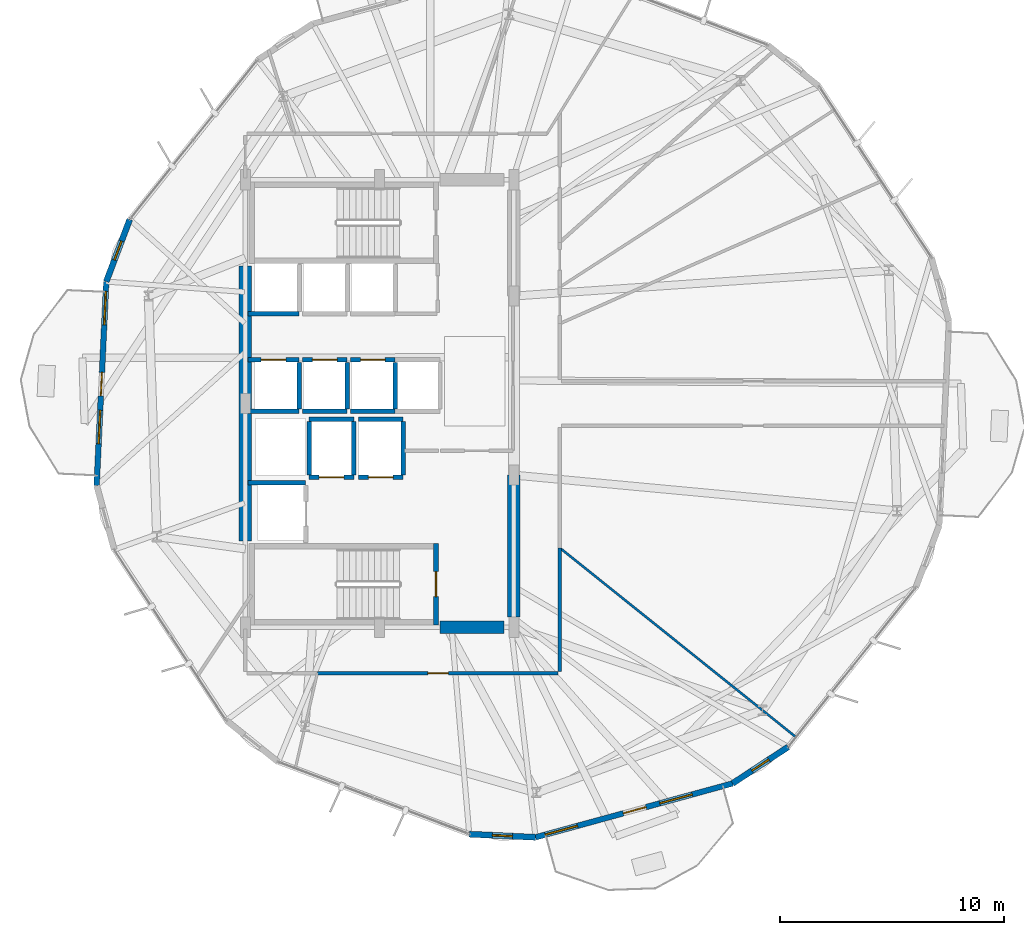
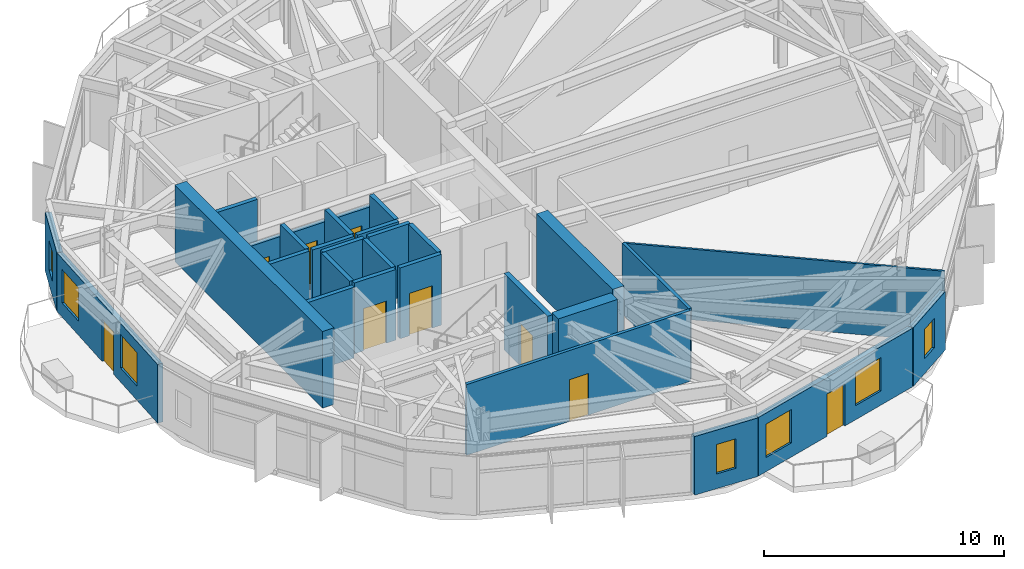
# One storey, part 20 of 25: 30 walls, 9 doors, 7 windows, 16 openings.
"""IFC4 building model written with IfcOpenShell, lengths in metres."""

from ifc_helpers import new_model, si_unit, direction, frame, frame_2d, origin, place, context, subcontext, project, spatial, rectangle, extrude, material, layer, layer_set, type_object, element, fill, save


model = new_model("IFC4")

# Units and contexts
model_context = context("Model", 3, precision=1e-05, world=origin(), true_north=direction((0.0, 1.0)))
body_context = subcontext(model_context, "Body", "Model", "MODEL_VIEW")
ifc_project = project(units=[si_unit("LENGTHUNIT", "METRE"), si_unit("AREAUNIT", "SQUARE_METRE"), si_unit("VOLUMEUNIT", "CUBIC_METRE"), si_unit("PLANEANGLEUNIT", "RADIAN"), si_unit("MASSUNIT", "GRAM", prefix="KILO")], contexts=[model_context])

# Site, building, storey
site_placement = place(None, origin())
site = spatial("IfcSite", under=ifc_project, at=site_placement, CompositionType="ELEMENT")
building_placement = place(site_placement, origin())
building = spatial("IfcBuilding", under=site, at=building_placement, Name="Soratama Intermodal Tower", CompositionType="ELEMENT")
storey_placement = place(building_placement, frame((0.0, 0.0, 87.39990234375)))
storey = spatial("IfcBuildingStorey", under=building, at=storey_placement, Name="L20", CompositionType="ELEMENT", Elevation=87.39990234375)

# Wall, openings, door, windows
ifc_material_1 = material(Name="Concrete f'c 42 MPa", Category="concrete")
ifc_layer_1 = layer(ifc_material_1, 0.25)
ifc_layer_set_1 = layer_set([ifc_layer_1], Name="Concrete f'c 42 MPa")
wall_type_1 = type_object("IfcWallType", Name="EW-BAL-250", PredefinedType="SOLIDWALL", material=ifc_layer_set_1)
wall_1_placement = place(storey_placement, frame((26.38720703125, 30.447509765625, 0.0), z_axis=(0.0, 0.0, 1.0), x_axis=(-0.047119184575, -0.998889274367, 0.0)))
wall_1 = element("IfcWall", 1, at=wall_1_placement, inside=storey, type_object=wall_type_1, Name="L20 Terrace Wall F05", PredefinedType="SOLIDWALL", context=body_context, shape_type="SweptSolid", body=[
    extrude(rectangle(XDim=9.129638671875, YDim=0.25, at=frame_2d((4.56494140625, 0.0))), origin(), (0.0, 0.0, 1.0), 2.97900390625),
])
opening_1_placement = place(wall_1_placement, frame((4.064697265625, 0.0, 0.0)))
opening_1 = element("IfcOpeningElement", 2, at=opening_1_placement, cuts=wall_1, Name="Opening ED-5", PredefinedType="OPENING", context=body_context, shape_type="SweptSolid", body=[
    extrude(rectangle(XDim=1.050048828125, YDim=2.14990234375, at=frame_2d((0.52490234375, 1.074951171875))), frame((0.0, 0.135009765625, 0.0), z_axis=(0.0, -1.0, 0.0), x_axis=(1.0, 0.0, 0.0)), (0.0, 0.0, 1.0), 0.27001953125),
])
opening_2_placement = place(wall_1_placement, frame((0.43994140625, 0.0, 0.719970703125)))
opening_2 = element("IfcOpeningElement", 3, at=opening_2_placement, cuts=wall_1, Name="Opening WN-1", PredefinedType="OPENING", context=body_context, shape_type="SweptSolid", body=[
    extrude(rectangle(XDim=1.5, YDim=1.699951171875, at=frame_2d((0.75, 0.85009765625))), frame((0.0, 0.135009765625, 0.0), z_axis=(0.0, -1.0, 0.0), x_axis=(1.0, 0.0, 0.0)), (0.0, 0.0, 1.0), 0.27001953125),
])
opening_3_placement = place(wall_1_placement, frame((5.7548828125, 0.0, 0.719970703125)))
opening_3 = element("IfcOpeningElement", 4, at=opening_3_placement, cuts=wall_1, Name="Opening WN-1", PredefinedType="OPENING", context=body_context, shape_type="SweptSolid", body=[
    extrude(rectangle(XDim=1.5, YDim=1.699951171875, at=frame_2d((0.75, 0.85009765625))), frame((0.0, 0.135009765625, 0.0), z_axis=(0.0, -1.0, 0.0), x_axis=(1.0, 0.0, 0.0)), (0.0, 0.0, 1.0), 0.27001953125),
])
ifc_material_2 = material(Name="Double-glazed aluminium door", Category="aluminium")
door_type_1 = type_object("IfcDoorType", Name="DR-BAL-1050", OperationType="NOTDEFINED", PredefinedType="DOOR", material=ifc_material_2)
door_1_placement = place(opening_1_placement, origin())
door_1 = element("IfcDoor", 5, at=door_1_placement, inside=storey, type_object=door_type_1, Name="L20 Balcony Door F05", OperationType="SINGLE_SWING_LEFT", OverallHeight=2.14990234375, OverallWidth=1.050048828125, PredefinedType="DOOR", context=body_context, shape_type="SweptSolid", body=[
    extrude(rectangle(XDim=1.050048828125, YDim=2.14990234375, at=frame_2d((0.52490234375, 1.074951171875))), frame((0.0, 0.02490234375, 0.0), z_axis=(0.0, -1.0, 0.0), x_axis=(1.0, 0.0, 0.0)), (0.0, 0.0, 1.0), 0.050048828125),
])
fill(opening_1, door_1)
ifc_material_3 = material(Name="Double-glazed aluminium window", Category="aluminium")
window_type_1 = type_object("IfcWindowType", Name="WN-FAC-1500", PartitioningType="SINGLE_PANEL", PredefinedType="WINDOW", material=ifc_material_3)
window_1_placement = place(opening_2_placement, origin())
window_1 = element("IfcWindow", 6, at=window_1_placement, inside=storey, type_object=window_type_1, Name="L20 Window A F05", OverallHeight=1.699951171875, OverallWidth=1.5, PartitioningType="SINGLE_PANEL", PredefinedType="WINDOW", context=body_context, shape_type="SweptSolid", body=[
    extrude(rectangle(XDim=1.5, YDim=1.699951171875, at=frame_2d((0.75, 0.85009765625))), frame((0.0, 0.030029296875, 0.0), z_axis=(0.0, -1.0, 0.0), x_axis=(1.0, 0.0, 0.0)), (0.0, 0.0, 1.0), 0.06005859375),
])
fill(opening_2, window_1)
window_2_placement = place(opening_3_placement, origin())
window_2 = element("IfcWindow", 7, at=window_2_placement, inside=storey, type_object=window_type_1, Name="L20 Window B F05", OverallHeight=1.699951171875, OverallWidth=1.5, PartitioningType="SINGLE_PANEL", PredefinedType="WINDOW", context=body_context, shape_type="SweptSolid", body=[
    extrude(rectangle(XDim=1.5, YDim=1.699951171875, at=frame_2d((0.75, 0.85009765625))), frame((0.0, 0.030029296875, 0.0), z_axis=(0.0, -1.0, 0.0), x_axis=(1.0, 0.0, 0.0)), (0.0, 0.0, 1.0), 0.06005859375),
])
fill(opening_3, window_2)

wall_2_placement = place(storey_placement, frame((45.57080078125, 5.614501953125, 0.0), z_axis=(0.0, 0.0, 1.0), x_axis=(0.964553074607, 0.263888927894, 0.0)))
wall_2 = element("IfcWall", 8, at=wall_2_placement, inside=storey, type_object=wall_type_1, Name="L20 Terrace Wall F08", PredefinedType="SOLIDWALL", context=body_context, shape_type="SweptSolid", body=[
    extrude(rectangle(XDim=9.129638671875, YDim=0.25, at=frame_2d((4.56494140625, 0.0))), origin(), (0.0, 0.0, 1.0), 2.97900390625),
])
opening_4_placement = place(wall_2_placement, frame((4.064697265625, 0.0, 0.0)))
opening_4 = element("IfcOpeningElement", 9, at=opening_4_placement, cuts=wall_2, Name="Opening ED-5", PredefinedType="OPENING", context=body_context, shape_type="SweptSolid", body=[
    extrude(rectangle(XDim=1.050048828125, YDim=2.14990234375, at=frame_2d((0.52490234375, 1.074951171875))), frame((0.0, 0.135009765625, 0.0), z_axis=(0.0, -1.0, 0.0), x_axis=(1.0, 0.0, 0.0)), (0.0, 0.0, 1.0), 0.27001953125),
])
opening_5_placement = place(wall_2_placement, frame((0.43994140625, 0.0, 0.719970703125)))
opening_5 = element("IfcOpeningElement", 10, at=opening_5_placement, cuts=wall_2, Name="Opening WN-1", PredefinedType="OPENING", context=body_context, shape_type="SweptSolid", body=[
    extrude(rectangle(XDim=1.5, YDim=1.699951171875, at=frame_2d((0.75, 0.85009765625))), frame((0.0, 0.135009765625, 0.0), z_axis=(0.0, -1.0, 0.0), x_axis=(1.0, 0.0, 0.0)), (0.0, 0.0, 1.0), 0.27001953125),
])
opening_6_placement = place(wall_2_placement, frame((5.7548828125, 0.0, 0.719970703125)))
opening_6 = element("IfcOpeningElement", 11, at=opening_6_placement, cuts=wall_2, Name="Opening WN-1", PredefinedType="OPENING", context=body_context, shape_type="SweptSolid", body=[
    extrude(rectangle(XDim=1.5, YDim=1.699951171875, at=frame_2d((0.75, 0.85009765625))), frame((0.0, 0.135009765625, 0.0), z_axis=(0.0, -1.0, 0.0), x_axis=(1.0, 0.0, 0.0)), (0.0, 0.0, 1.0), 0.27001953125),
])
door_2_placement = place(opening_4_placement, origin())
door_2 = element("IfcDoor", 12, at=door_2_placement, inside=storey, type_object=door_type_1, Name="L20 Balcony Door F08", OperationType="SINGLE_SWING_RIGHT", OverallHeight=2.14990234375, OverallWidth=1.050048828125, PredefinedType="DOOR", context=body_context, shape_type="SweptSolid", body=[
    extrude(rectangle(XDim=1.050048828125, YDim=2.14990234375, at=frame_2d((0.52490234375, 1.074951171875))), frame((0.0, 0.02490234375, 0.0), z_axis=(0.0, -1.0, 0.0), x_axis=(1.0, 0.0, 0.0)), (0.0, 0.0, 1.0), 0.050048828125),
])
fill(opening_4, door_2)
window_3_placement = place(opening_5_placement, origin())
window_3 = element("IfcWindow", 13, at=window_3_placement, inside=storey, type_object=window_type_1, Name="L20 Window A F08", OverallHeight=1.699951171875, OverallWidth=1.5, PartitioningType="SINGLE_PANEL", PredefinedType="WINDOW", context=body_context, shape_type="SweptSolid", body=[
    extrude(rectangle(XDim=1.5, YDim=1.699951171875, at=frame_2d((0.75, 0.85009765625))), frame((0.0, 0.030029296875, 0.0), z_axis=(0.0, -1.0, 0.0), x_axis=(1.0, 0.0, 0.0)), (0.0, 0.0, 1.0), 0.06005859375),
])
fill(opening_5, window_3)
window_4_placement = place(opening_6_placement, origin())
window_4 = element("IfcWindow", 14, at=window_4_placement, inside=storey, type_object=window_type_1, Name="L20 Window B F08", OverallHeight=1.699951171875, OverallWidth=1.5, PartitioningType="SINGLE_PANEL", PredefinedType="WINDOW", context=body_context, shape_type="SweptSolid", body=[
    extrude(rectangle(XDim=1.5, YDim=1.699951171875, at=frame_2d((0.75, 0.85009765625))), frame((0.0, 0.030029296875, 0.0), z_axis=(0.0, -1.0, 0.0), x_axis=(1.0, 0.0, 0.0)), (0.0, 0.0, 1.0), 0.06005859375),
])
fill(opening_6, window_4)

# Wall, opening, window
ifc_material_4 = material(Name="Concrete f'c 42 MPa", Category="concrete")
ifc_layer_2 = layer(ifc_material_4, 0.27001953125)
ifc_layer_set_2 = layer_set([ifc_layer_2], Name="Concrete f'c 42 MPa")
wall_type_2 = type_object("IfcWallType", Name="EW-CRN-270", PredefinedType="SOLIDWALL", material=ifc_layer_set_2)
wall_3_placement = place(storey_placement, frame((27.435791015625, 33.22265625, 0.0), z_axis=(0.0, 0.0, 1.0), x_axis=(-0.35345818185, -0.935450326679, 0.0)))
wall_3 = element("IfcWall", 15, at=wall_3_placement, inside=storey, type_object=wall_type_2, Name="L20 Corner Closure Wall 04", PredefinedType="SOLIDWALL", context=body_context, shape_type="SweptSolid", body=[
    extrude(rectangle(XDim=2.966552734375, YDim=0.27001953125, at=frame_2d((1.4833984375, 0.0))), origin(), (0.0, 0.0, 1.0), 2.97900390625),
])
opening_7_placement = place(wall_3_placement, frame((1.033203125, 0.0, 0.75)))
opening_7 = element("IfcOpeningElement", 16, at=opening_7_placement, cuts=wall_3, Name="Opening WN-6", PredefinedType="OPENING", context=body_context, shape_type="SweptSolid", body=[
    extrude(rectangle(XDim=0.89990234375, YDim=1.5, at=frame_2d((0.449951171875, 0.75))), frame((0.0, 0.14501953125, 0.0), z_axis=(0.0, -1.0, 0.0), x_axis=(1.0, 0.0, 0.0)), (0.0, 0.0, 1.0), 0.2900390625),
])
ifc_material_5 = material(Name="Double-glazed aluminium window", Category="aluminium")
window_type_2 = type_object("IfcWindowType", Name="WN-FAC-900", PartitioningType="SINGLE_PANEL", PredefinedType="WINDOW", material=ifc_material_5)
window_5_placement = place(opening_7_placement, origin())
window_5 = element("IfcWindow", 17, at=window_5_placement, inside=storey, type_object=window_type_2, Name="L20 Corner Window 04", OverallHeight=1.5, OverallWidth=0.89990234375, PartitioningType="SINGLE_PANEL", PredefinedType="WINDOW", context=body_context, shape_type="SweptSolid", body=[
    extrude(rectangle(XDim=0.89990234375, YDim=1.5, at=frame_2d((0.449951171875, 0.75))), frame((0.0, 0.030029296875, 0.0), z_axis=(0.0, -1.0, 0.0), x_axis=(1.0, 0.0, 0.0)), (0.0, 0.0, 1.0), 0.06005859375),
])
fill(opening_7, window_5)

wall_4_placement = place(storey_placement, frame((42.607421875, 5.75439453125, 0.0), z_axis=(0.0, 0.0, 1.0), x_axis=(0.998887602896, -0.04715460508, 0.0)))
wall_4 = element("IfcWall", 18, at=wall_4_placement, inside=storey, type_object=wall_type_2, Name="L20 Corner Closure Wall 07", PredefinedType="SOLIDWALL", context=body_context, shape_type="SweptSolid", body=[
    extrude(rectangle(XDim=2.966796875, YDim=0.27001953125, at=frame_2d((1.4833984375, 0.0))), origin(), (0.0, 0.0, 1.0), 2.97900390625),
])
opening_8_placement = place(wall_4_placement, frame((1.033203125, 0.0, 0.75)))
opening_8 = element("IfcOpeningElement", 19, at=opening_8_placement, cuts=wall_4, Name="Opening WN-6", PredefinedType="OPENING", context=body_context, shape_type="SweptSolid", body=[
    extrude(rectangle(XDim=0.89990234375, YDim=1.5, at=frame_2d((0.449951171875, 0.75))), frame((0.0, 0.14501953125, 0.0), z_axis=(0.0, -1.0, 0.0), x_axis=(1.0, 0.0, 0.0)), (0.0, 0.0, 1.0), 0.2900390625),
])
window_6_placement = place(opening_8_placement, origin())
window_6 = element("IfcWindow", 20, at=window_6_placement, inside=storey, type_object=window_type_2, Name="L20 Corner Window 07", OverallHeight=1.5, OverallWidth=0.89990234375, PartitioningType="SINGLE_PANEL", PredefinedType="WINDOW", context=body_context, shape_type="SweptSolid", body=[
    extrude(rectangle(XDim=0.89990234375, YDim=1.5, at=frame_2d((0.449951171875, 0.75))), frame((0.0, 0.030029296875, 0.0), z_axis=(0.0, -1.0, 0.0), x_axis=(1.0, 0.0, 0.0)), (0.0, 0.0, 1.0), 0.06005859375),
])
fill(opening_8, window_6)

wall_5_placement = place(storey_placement, frame((54.376708984375, 8.023681640625, 0.0), z_axis=(0.0, 0.0, 1.0), x_axis=(0.835816616247, 0.549008728533, 0.0)))
wall_5 = element("IfcWall", 21, at=wall_5_placement, inside=storey, type_object=wall_type_2, Name="L20 Corner Closure Wall 08", PredefinedType="SOLIDWALL", context=body_context, shape_type="SweptSolid", body=[
    extrude(rectangle(XDim=2.966552734375, YDim=0.27001953125, at=frame_2d((1.4833984375, 0.0))), origin(), (0.0, 0.0, 1.0), 2.97900390625),
])
opening_9_placement = place(wall_5_placement, frame((1.033203125, 0.0, 0.75)))
opening_9 = element("IfcOpeningElement", 22, at=opening_9_placement, cuts=wall_5, Name="Opening WN-6", PredefinedType="OPENING", context=body_context, shape_type="SweptSolid", body=[
    extrude(rectangle(XDim=0.89990234375, YDim=1.5, at=frame_2d((0.449951171875, 0.75))), frame((0.0, 0.14501953125, 0.0), z_axis=(0.0, -1.0, 0.0), x_axis=(1.0, 0.0, 0.0)), (0.0, 0.0, 1.0), 0.2900390625),
])
window_7_placement = place(opening_9_placement, origin())
window_7 = element("IfcWindow", 23, at=window_7_placement, inside=storey, type_object=window_type_2, Name="L20 Corner Window 08", OverallHeight=1.5, OverallWidth=0.89990234375, PartitioningType="SINGLE_PANEL", PredefinedType="WINDOW", context=body_context, shape_type="SweptSolid", body=[
    extrude(rectangle(XDim=0.89990234375, YDim=1.5, at=frame_2d((0.449951171875, 0.75))), frame((0.0, 0.030029296875, 0.0), z_axis=(0.0, -1.0, 0.0), x_axis=(1.0, 0.0, 0.0)), (0.0, 0.0, 1.0), 0.06005859375),
])
fill(opening_9, window_7)

# Wall, opening, door
ifc_material_6 = material(Name="Fire-rated gypsum stud partition", Category="concrete")
ifc_layer_3 = layer(ifc_material_6, 0.14990234375)
ifc_layer_set_3 = layer_set([ifc_layer_3], Name="Fire-rated gypsum stud partition")
wall_type_3 = type_object("IfcWallType", Name="IW-PART-R150", PredefinedType="PARTITIONING", material=ifc_layer_set_3)
wall_6_placement = place(storey_placement, frame((46.580078125, 12.949951171875, 0.0), z_axis=(0.0, 0.0, 1.0), x_axis=(-1.0, 0.0, 0.0)))
wall_6 = element("IfcWall", 24, at=wall_6_placement, inside=storey, type_object=wall_type_3, Name="L20 Partition W-L20-TP007", PredefinedType="PARTITIONING", context=body_context, shape_type="SweptSolid", body=[
    extrude(rectangle(XDim=10.760986328125, YDim=0.14990234375, at=frame_2d((5.38037109375, 0.0))), origin(), (0.0, 0.0, 1.0), 3.60009765625),
])
opening_10_placement = place(wall_6_placement, frame((4.905029296875, 0.0, 0.0)))
opening_10 = element("IfcOpeningElement", 25, at=opening_10_placement, cuts=wall_6, Name="Opening ID-6", PredefinedType="OPENING", context=body_context, shape_type="SweptSolid", body=[
    extrude(rectangle(XDim=0.919921875, YDim=2.1201171875, at=frame_2d((0.4599609375, 1.06005859375))), frame((0.0, 0.0849609375, 0.0), z_axis=(0.0, -1.0, 0.0), x_axis=(1.0, 0.0, 0.0)), (0.0, 0.0, 1.0), 0.169921875),
])
ifc_material_7 = material(Name="Solid hardwood acoustic door", Category="wood")
door_type_2 = type_object("IfcDoorType", Name="DR-ROOM-920", OperationType="NOTDEFINED", PredefinedType="DOOR", material=ifc_material_7)
door_3_placement = place(opening_10_placement, origin())
door_3 = element("IfcDoor", 26, at=door_3_placement, inside=storey, type_object=door_type_2, Name="L20 Door D-L20-TP003", OperationType="SINGLE_SWING_RIGHT", OverallHeight=2.1201171875, OverallWidth=0.919921875, PredefinedType="DOOR", context=body_context, shape_type="SweptSolid", body=[
    extrude(rectangle(XDim=0.919921875, YDim=2.1201171875, at=frame_2d((0.4599609375, 1.06005859375))), frame((0.0, 0.02490234375, 0.0), z_axis=(0.0, -1.0, 0.0), x_axis=(1.0, 0.0, 0.0)), (0.0, 0.0, 1.0), 0.050048828125),
])
fill(opening_10, door_3)

# Walls
wall_7_placement = place(storey_placement, frame((46.64990234375, 18.550048828125, 0.0), z_axis=(0.0, 0.0, 1.0), x_axis=(0.0, -1.0, 0.0)))
element("IfcWall", 27, at=wall_7_placement, inside=storey, type_object=wall_type_3, Name="L20 Partition W-L20-TP013", PredefinedType="PARTITIONING", context=body_context, shape_type="SweptSolid", body=[
    extrude(rectangle(XDim=5.530029296875, YDim=0.14990234375, at=frame_2d((2.76513671875, 0.0))), origin(), (0.0, 0.0, 1.0), 3.60009765625),
])
ifc_material_8 = material(Name="Fire-rated gypsum stud partition", Category="concrete")
ifc_layer_4 = layer(ifc_material_8, 0.10009765625)
ifc_layer_set_4 = layer_set([ifc_layer_4], Name="Fire-rated gypsum stud partition")
wall_type_4 = type_object("IfcWallType", Name="IW-PART-S100", PredefinedType="PARTITIONING", material=ifc_layer_set_4)
wall_8_placement = place(storey_placement, frame((46.64990234375, 18.550048828125, 0.0), z_axis=(0.0, 0.0, 1.0), x_axis=(0.780389673426, -0.625293497176, 0.0)))
element("IfcWall", 28, at=wall_8_placement, inside=storey, type_object=wall_type_4, Name="L20 Partition W-L20-TP005", PredefinedType="PARTITIONING", context=body_context, shape_type="SweptSolid", body=[
    extrude(rectangle(XDim=13.528076171875, YDim=0.10009765625, at=frame_2d((6.76416015625, 0.0))), origin(), (0.0, 0.0, 1.0), 3.60009765625),
])

# Wall, opening, door
ifc_material_9 = material(Name="Concrete f'c 42 MPa", Category="concrete")
ifc_layer_5 = layer(ifc_material_9, 0.199951171875)
ifc_layer_set_5 = layer_set([ifc_layer_5], Name="Concrete f'c 42 MPa")
wall_type_5 = type_object("IfcWallType", Name="IW-SHAFT-200", PredefinedType="SOLIDWALL", material=ifc_layer_set_5)
wall_9_placement = place(storey_placement, frame((35.449951171875, 21.699951171875, 0.0), z_axis=(0.0, 0.0, 1.0), x_axis=(1.0, 0.0, 0.0)))
wall_9 = element("IfcWall", 29, at=wall_9_placement, inside=storey, type_object=wall_type_5, Name="L20 FFL-1 Hoistway Wall S", PredefinedType="SOLIDWALL", context=body_context, shape_type="SweptSolid", body=[
    extrude(rectangle(XDim=2.0, YDim=0.199951171875, at=frame_2d((1.0, 0.0))), origin(), (0.0, 0.0, 1.0), 3.60009765625),
])
opening_11_placement = place(wall_9_placement, frame((0.449951171875, 0.0, 0.0)))
opening_11 = element("IfcOpeningElement", 30, at=opening_11_placement, cuts=wall_9, Name="Opening LD-1", PredefinedType="OPENING", context=body_context, shape_type="SweptSolid", body=[
    extrude(rectangle(XDim=1.10009765625, YDim=2.14990234375, at=frame_2d((0.550048828125, 1.074951171875))), frame((0.0, 0.10986328125, 0.0), z_axis=(0.0, -1.0, 0.0), x_axis=(1.0, 0.0, 0.0)), (0.0, 0.0, 1.0), 0.219970703125),
])
ifc_material_10 = material(Name="Steel fire door", Category="steel")
door_type_3 = type_object("IfcDoorType", Name="DR-LIFT-SLIDE", OperationType="NOTDEFINED", PredefinedType="DOOR", material=ifc_material_10)
door_4_placement = place(opening_11_placement, origin())
door_4 = element("IfcDoor", 31, at=door_4_placement, inside=storey, type_object=door_type_3, Name="L20 FFL-1 Sliding Landing Door", OperationType="SLIDING_TO_LEFT", OverallHeight=2.14990234375, OverallWidth=1.10009765625, PredefinedType="DOOR", context=body_context, shape_type="SweptSolid", body=[
    extrude(rectangle(XDim=1.10009765625, YDim=2.14990234375, at=frame_2d((0.550048828125, 1.074951171875))), frame((0.0, 0.02490234375, 0.0), z_axis=(0.0, -1.0, 0.0), x_axis=(1.0, 0.0, 0.0)), (0.0, 0.0, 1.0), 0.050048828125),
])
fill(opening_11, door_4)

# Walls
wall_10_placement = place(storey_placement, frame((35.449951171875, 24.300048828125, 0.0), z_axis=(0.0, 0.0, 1.0), x_axis=(1.0, 0.0, 0.0)))
element("IfcWall", 32, at=wall_10_placement, inside=storey, type_object=wall_type_5, Name="L20 FFL-1 Hoistway Wall N", PredefinedType="SOLIDWALL", context=body_context, shape_type="SweptSolid", body=[
    extrude(rectangle(XDim=2.0, YDim=0.199951171875, at=frame_2d((1.0, 0.0))), origin(), (0.0, 0.0, 1.0), 3.60009765625),
])
for number, where, z_axis, x_axis, name in (
    (33, (35.449951171875, 21.81005859375, 0.0), (0.0, 0.0, 1.0), (0.0, 1.0, 0.0), "L20 FFL-1 Hoistway Wall W"),
    (34, (37.449951171875, 21.81005859375, 0.0), (0.0, 0.0, 1.0), (0.0, 1.0, 0.0), "L20 FFL-1 Hoistway Wall E"),
):
    element("IfcWall", number, at=place(storey_placement, frame(where, z_axis=z_axis, x_axis=x_axis)), inside=storey, type_object=wall_type_5, Name=name, PredefinedType="SOLIDWALL", context=body_context, shape_type="SweptSolid", body=[
        extrude(rectangle(XDim=2.3798828125, YDim=0.199951171875, at=frame_2d((1.18994140625, 0.0))), origin(), (0.0, 0.0, 1.0), 3.60009765625),
    ])

# Wall, opening, door
wall_11_placement = place(storey_placement, frame((37.64990234375, 21.699951171875, 0.0), z_axis=(0.0, 0.0, 1.0), x_axis=(1.0, 0.0, 0.0)))
wall_11 = element("IfcWall", 35, at=wall_11_placement, inside=storey, type_object=wall_type_5, Name="L20 FFL-2 Hoistway Wall S", PredefinedType="SOLIDWALL", context=body_context, shape_type="SweptSolid", body=[
    extrude(rectangle(XDim=2.0, YDim=0.199951171875, at=frame_2d((1.0, 0.0))), origin(), (0.0, 0.0, 1.0), 3.60009765625),
])
opening_12_placement = place(wall_11_placement, frame((0.449951171875, 0.0, 0.0)))
opening_12 = element("IfcOpeningElement", 36, at=opening_12_placement, cuts=wall_11, Name="Opening LD-1", PredefinedType="OPENING", context=body_context, shape_type="SweptSolid", body=[
    extrude(rectangle(XDim=1.10009765625, YDim=2.14990234375, at=frame_2d((0.550048828125, 1.074951171875))), frame((0.0, 0.10986328125, 0.0), z_axis=(0.0, -1.0, 0.0), x_axis=(1.0, 0.0, 0.0)), (0.0, 0.0, 1.0), 0.219970703125),
])
door_5_placement = place(opening_12_placement, origin())
door_5 = element("IfcDoor", 37, at=door_5_placement, inside=storey, type_object=door_type_3, Name="L20 FFL-2 Sliding Landing Door", OperationType="SLIDING_TO_LEFT", OverallHeight=2.14990234375, OverallWidth=1.10009765625, PredefinedType="DOOR", context=body_context, shape_type="SweptSolid", body=[
    extrude(rectangle(XDim=1.10009765625, YDim=2.14990234375, at=frame_2d((0.550048828125, 1.074951171875))), frame((0.0, 0.02490234375, 0.0), z_axis=(0.0, -1.0, 0.0), x_axis=(1.0, 0.0, 0.0)), (0.0, 0.0, 1.0), 0.050048828125),
])
fill(opening_12, door_5)

# Walls
wall_12_placement = place(storey_placement, frame((37.64990234375, 24.300048828125, 0.0), z_axis=(0.0, 0.0, 1.0), x_axis=(1.0, 0.0, 0.0)))
element("IfcWall", 38, at=wall_12_placement, inside=storey, type_object=wall_type_5, Name="L20 FFL-2 Hoistway Wall N", PredefinedType="SOLIDWALL", context=body_context, shape_type="SweptSolid", body=[
    extrude(rectangle(XDim=2.0, YDim=0.199951171875, at=frame_2d((1.0, 0.0))), origin(), (0.0, 0.0, 1.0), 3.60009765625),
])
wall_13_placement = place(storey_placement, frame((39.64990234375, 21.81005859375, 0.0), z_axis=(0.0, 0.0, 1.0), x_axis=(0.0, 1.0, 0.0)))
element("IfcWall", 39, at=wall_13_placement, inside=storey, type_object=wall_type_5, Name="L20 FFL-2 Hoistway Wall E", PredefinedType="SOLIDWALL", context=body_context, shape_type="SweptSolid", body=[
    extrude(rectangle(XDim=2.3798828125, YDim=0.199951171875, at=frame_2d((1.18994140625, 0.0))), origin(), (0.0, 0.0, 1.0), 3.60009765625),
])
wall_14_placement = place(storey_placement, frame((32.719970703125, 21.449951171875, 0.0), z_axis=(0.0, 0.0, 1.0), x_axis=(1.0, 0.0, 0.0)))
element("IfcWall", 40, at=wall_14_placement, inside=storey, type_object=wall_type_5, Name="L20 SVL-1 Hoistway Wall N", PredefinedType="SOLIDWALL", context=body_context, shape_type="SweptSolid", body=[
    extrude(rectangle(XDim=2.580078125, YDim=0.199951171875, at=frame_2d((1.2900390625, 0.0))), origin(), (0.0, 0.0, 1.0), 3.60009765625),
])
wall_15_placement = place(storey_placement, frame((32.719970703125, 24.64990234375, 0.0), z_axis=(0.0, 0.0, 1.0), x_axis=(1.0, 0.0, 0.0)))
element("IfcWall", 41, at=wall_15_placement, inside=storey, type_object=wall_type_5, Name="L20 PL-L1 Hoistway Wall S", PredefinedType="SOLIDWALL", context=body_context, shape_type="SweptSolid", body=[
    extrude(rectangle(XDim=2.280029296875, YDim=0.199951171875, at=frame_2d((1.14013671875, 0.0))), origin(), (0.0, 0.0, 1.0), 3.60009765625),
])

# Wall, opening, door
wall_16_placement = place(storey_placement, frame((32.719970703125, 26.949951171875, 0.0), z_axis=(0.0, 0.0, 1.0), x_axis=(1.0, 0.0, 0.0)))
wall_16 = element("IfcWall", 42, at=wall_16_placement, inside=storey, type_object=wall_type_5, Name="L20 PL-L1 Hoistway Wall N", PredefinedType="SOLIDWALL", context=body_context, shape_type="SweptSolid", body=[
    extrude(rectangle(XDim=2.280029296875, YDim=0.199951171875, at=frame_2d((1.14013671875, 0.0))), origin(), (0.0, 0.0, 1.0), 2.97412109375),
])
opening_13_placement = place(wall_16_placement, frame((0.590087890625, 0.0, 0.0)))
opening_13 = element("IfcOpeningElement", 43, at=opening_13_placement, cuts=wall_16, Name="Opening LD-1", PredefinedType="OPENING", context=body_context, shape_type="SweptSolid", body=[
    extrude(rectangle(XDim=1.10009765625, YDim=2.14990234375, at=frame_2d((0.550048828125, 1.074951171875))), frame((0.0, 0.10986328125, 0.0), z_axis=(0.0, -1.0, 0.0), x_axis=(1.0, 0.0, 0.0)), (0.0, 0.0, 1.0), 0.219970703125),
])
door_6_placement = place(opening_13_placement, origin())
door_6 = element("IfcDoor", 44, at=door_6_placement, inside=storey, type_object=door_type_3, Name="L20 PL-L1 Sliding Landing Door", OperationType="SLIDING_TO_LEFT", OverallHeight=2.14990234375, OverallWidth=1.10009765625, PredefinedType="DOOR", context=body_context, shape_type="SweptSolid", body=[
    extrude(rectangle(XDim=1.10009765625, YDim=2.14990234375, at=frame_2d((0.550048828125, 1.074951171875))), frame((0.0, 0.02490234375, 0.0), z_axis=(0.0, -1.0, 0.0), x_axis=(1.0, 0.0, 0.0)), (0.0, 0.0, 1.0), 0.050048828125),
])
fill(opening_13, door_6)

# Walls
wall_17_placement = place(storey_placement, frame((35.0, 24.760009765625, 0.0), z_axis=(0.0, 0.0, 1.0), x_axis=(0.0, 1.0, 0.0)))
element("IfcWall", 45, at=wall_17_placement, inside=storey, type_object=wall_type_5, Name="L20 PL-L1 Hoistway Wall E", PredefinedType="SOLIDWALL", context=body_context, shape_type="SweptSolid", body=[
    extrude(rectangle(XDim=2.080078125, YDim=0.199951171875, at=frame_2d((1.0400390625, 0.0))), origin(), (0.0, 0.0, 1.0), 3.60009765625),
])
wall_18_placement = place(storey_placement, frame((35.14990234375, 24.64990234375, 0.0), z_axis=(0.0, 0.0, 1.0), x_axis=(1.0, 0.0, 0.0)))
element("IfcWall", 46, at=wall_18_placement, inside=storey, type_object=wall_type_5, Name="L20 PL-L2 Hoistway Wall S", PredefinedType="SOLIDWALL", context=body_context, shape_type="SweptSolid", body=[
    extrude(rectangle(XDim=2.0, YDim=0.199951171875, at=frame_2d((1.0, 0.0))), origin(), (0.0, 0.0, 1.0), 3.60009765625),
])

# Wall, opening, door
wall_19_placement = place(storey_placement, frame((35.14990234375, 26.949951171875, 0.0), z_axis=(0.0, 0.0, 1.0), x_axis=(1.0, 0.0, 0.0)))
wall_19 = element("IfcWall", 47, at=wall_19_placement, inside=storey, type_object=wall_type_5, Name="L20 PL-L2 Hoistway Wall N", PredefinedType="SOLIDWALL", context=body_context, shape_type="SweptSolid", body=[
    extrude(rectangle(XDim=2.0, YDim=0.199951171875, at=frame_2d((1.0, 0.0))), origin(), (0.0, 0.0, 1.0), 2.97412109375),
])
opening_14_placement = place(wall_19_placement, frame((0.449951171875, 0.0, 0.0)))
opening_14 = element("IfcOpeningElement", 48, at=opening_14_placement, cuts=wall_19, Name="Opening LD-1", PredefinedType="OPENING", context=body_context, shape_type="SweptSolid", body=[
    extrude(rectangle(XDim=1.10009765625, YDim=2.14990234375, at=frame_2d((0.550048828125, 1.074951171875))), frame((0.0, 0.10986328125, 0.0), z_axis=(0.0, -1.0, 0.0), x_axis=(1.0, 0.0, 0.0)), (0.0, 0.0, 1.0), 0.219970703125),
])
door_7_placement = place(opening_14_placement, origin())
door_7 = element("IfcDoor", 49, at=door_7_placement, inside=storey, type_object=door_type_3, Name="L20 PL-L2 Sliding Landing Door", OperationType="SLIDING_TO_LEFT", OverallHeight=2.14990234375, OverallWidth=1.10009765625, PredefinedType="DOOR", context=body_context, shape_type="SweptSolid", body=[
    extrude(rectangle(XDim=1.10009765625, YDim=2.14990234375, at=frame_2d((0.550048828125, 1.074951171875))), frame((0.0, 0.02490234375, 0.0), z_axis=(0.0, -1.0, 0.0), x_axis=(1.0, 0.0, 0.0)), (0.0, 0.0, 1.0), 0.050048828125),
])
fill(opening_14, door_7)

# Walls
wall_20_placement = place(storey_placement, frame((37.14990234375, 24.760009765625, 0.0), z_axis=(0.0, 0.0, 1.0), x_axis=(0.0, 1.0, 0.0)))
element("IfcWall", 50, at=wall_20_placement, inside=storey, type_object=wall_type_5, Name="L20 PL-L2 Hoistway Wall E", PredefinedType="SOLIDWALL", context=body_context, shape_type="SweptSolid", body=[
    extrude(rectangle(XDim=2.080078125, YDim=0.199951171875, at=frame_2d((1.0400390625, 0.0))), origin(), (0.0, 0.0, 1.0), 3.60009765625),
])
wall_21_placement = place(storey_placement, frame((37.300048828125, 24.64990234375, 0.0), z_axis=(0.0, 0.0, 1.0), x_axis=(1.0, 0.0, 0.0)))
element("IfcWall", 51, at=wall_21_placement, inside=storey, type_object=wall_type_5, Name="L20 PL-L3 Hoistway Wall S", PredefinedType="SOLIDWALL", context=body_context, shape_type="SweptSolid", body=[
    extrude(rectangle(XDim=2.0, YDim=0.199951171875, at=frame_2d((1.0, 0.0))), origin(), (0.0, 0.0, 1.0), 3.60009765625),
])

# Wall, opening, door
wall_22_placement = place(storey_placement, frame((37.300048828125, 26.949951171875, 0.0), z_axis=(0.0, 0.0, 1.0), x_axis=(1.0, 0.0, 0.0)))
wall_22 = element("IfcWall", 52, at=wall_22_placement, inside=storey, type_object=wall_type_5, Name="L20 PL-L3 Hoistway Wall N", PredefinedType="SOLIDWALL", context=body_context, shape_type="SweptSolid", body=[
    extrude(rectangle(XDim=2.0, YDim=0.199951171875, at=frame_2d((1.0, 0.0))), origin(), (0.0, 0.0, 1.0), 2.97412109375),
])
opening_15_placement = place(wall_22_placement, frame((0.449951171875, 0.0, 0.0)))
opening_15 = element("IfcOpeningElement", 53, at=opening_15_placement, cuts=wall_22, Name="Opening LD-1", PredefinedType="OPENING", context=body_context, shape_type="SweptSolid", body=[
    extrude(rectangle(XDim=1.10009765625, YDim=2.14990234375, at=frame_2d((0.550048828125, 1.074951171875))), frame((0.0, 0.10986328125, 0.0), z_axis=(0.0, -1.0, 0.0), x_axis=(1.0, 0.0, 0.0)), (0.0, 0.0, 1.0), 0.219970703125),
])
door_8_placement = place(opening_15_placement, origin())
door_8 = element("IfcDoor", 54, at=door_8_placement, inside=storey, type_object=door_type_3, Name="L20 PL-L3 Sliding Landing Door", OperationType="SLIDING_TO_LEFT", OverallHeight=2.14990234375, OverallWidth=1.10009765625, PredefinedType="DOOR", context=body_context, shape_type="SweptSolid", body=[
    extrude(rectangle(XDim=1.10009765625, YDim=2.14990234375, at=frame_2d((0.550048828125, 1.074951171875))), frame((0.0, 0.02490234375, 0.0), z_axis=(0.0, -1.0, 0.0), x_axis=(1.0, 0.0, 0.0)), (0.0, 0.0, 1.0), 0.050048828125),
])
fill(opening_15, door_8)

# Walls
wall_23_placement = place(storey_placement, frame((39.300048828125, 24.760009765625, 0.0), z_axis=(0.0, 0.0, 1.0), x_axis=(0.0, 1.0, 0.0)))
element("IfcWall", 55, at=wall_23_placement, inside=storey, type_object=wall_type_5, Name="L20 PL-L3 Hoistway Wall E", PredefinedType="SOLIDWALL", context=body_context, shape_type="SweptSolid", body=[
    extrude(rectangle(XDim=2.080078125, YDim=0.199951171875, at=frame_2d((1.0400390625, 0.0))), origin(), (0.0, 0.0, 1.0), 3.60009765625),
])
wall_24_placement = place(storey_placement, frame((32.719970703125, 29.0, 0.0), z_axis=(0.0, 0.0, 1.0), x_axis=(1.0, 0.0, 0.0)))
element("IfcWall", 56, at=wall_24_placement, inside=storey, type_object=wall_type_5, Name="L20 PL-M2 Hoistway Wall S", PredefinedType="SOLIDWALL", context=body_context, shape_type="SweptSolid", body=[
    extrude(rectangle(XDim=2.280029296875, YDim=0.199951171875, at=frame_2d((1.14013671875, 0.0))), origin(), (0.0, 0.0, 1.0), 3.60009765625),
])
ifc_material_11 = material(Name="Concrete f'c 56 MPa", Category="concrete")
ifc_layer_6 = layer(ifc_material_11, 0.550048828125)
ifc_layer_set_6 = layer_set([ifc_layer_6], Name="Concrete f'c 56 MPa")
wall_type_6 = type_object("IfcWallType", Name="SW-CORE-550", PredefinedType="SHEAR", material=ifc_layer_set_6)
wall_25_placement = place(storey_placement, frame((32.60009765625, 18.85009765625, 0.0), z_axis=(0.0, 0.0, 1.0), x_axis=(0.0, 1.0, 0.0)))
element("IfcWall", 57, at=wall_25_placement, inside=storey, type_object=wall_type_6, Name="L20 Core Shear Wall CW-WMID", PredefinedType="SHEAR", context=body_context, shape_type="SweptSolid", body=[
    extrude(rectangle(XDim=12.2998046875, YDim=0.550048828125, at=frame_2d((6.14990234375, 0.0))), origin(), (0.0, 0.0, 1.0), 3.900146484375),
])
wall_26_placement = place(storey_placement, frame((41.300048828125, 15.0, 0.0), z_axis=(0.0, 0.0, 1.0), x_axis=(1.0, 0.0, 0.0)))
element("IfcWall", 58, at=wall_26_placement, inside=storey, type_object=wall_type_6, Name="L20 Core Shear Wall CW-SE", PredefinedType="SHEAR", context=body_context, shape_type="SweptSolid", body=[
    extrude(rectangle(XDim=2.849853515625, YDim=0.550048828125, at=frame_2d((1.4248046875, 0.0))), origin(), (0.0, 0.0, 1.0), 3.900146484375),
])
wall_27_placement = place(storey_placement, frame((44.60009765625, 15.449951171875, 0.0), z_axis=(0.0, 0.0, 1.0), x_axis=(0.0, 1.0, 0.0)))
element("IfcWall", 59, at=wall_27_placement, inside=storey, type_object=wall_type_6, Name="L20 Core Shear Wall CW-ES", PredefinedType="SHEAR", context=body_context, shape_type="SweptSolid", body=[
    extrude(rectangle(XDim=6.35009765625, YDim=0.550048828125, at=frame_2d((3.175048828125, 0.0))), origin(), (0.0, 0.0, 1.0), 3.900146484375),
])

# Wall, opening, door
ifc_material_12 = material(Name="Concrete f'c 56 MPa", Category="concrete")
ifc_layer_7 = layer(ifc_material_12, 0.239990234375)
ifc_layer_set_7 = layer_set([ifc_layer_7], Name="Concrete f'c 56 MPa")
wall_type_7 = type_object("IfcWallType", Name="SW-STAIR-240", PredefinedType="SHEAR", material=ifc_layer_set_7)
wall_28_placement = place(storey_placement, frame((41.1201171875, 15.110107421875, 0.0), z_axis=(0.0, 0.0, 1.0), x_axis=(0.0, 1.0, 0.0)))
wall_28 = element("IfcWall", 60, at=wall_28_placement, inside=storey, type_object=wall_type_7, Name="L20 ST-1 Shaft Shear Wall E", PredefinedType="SHEAR", context=body_context, shape_type="SweptSolid", body=[
    extrude(rectangle(XDim=3.6298828125, YDim=0.239990234375, at=frame_2d((1.81494140625, 0.0))), origin(), (0.0, 0.0, 1.0), 3.900146484375),
])
opening_16_placement = place(wall_28_placement, frame((1.2548828125, 0.0, 0.0)))
opening_16 = element("IfcOpeningElement", 61, at=opening_16_placement, cuts=wall_28, Name="Opening SD-1", PredefinedType="OPENING", context=body_context, shape_type="SweptSolid", body=[
    extrude(rectangle(XDim=1.1201171875, YDim=2.14990234375, at=frame_2d((0.56005859375, 1.074951171875))), frame((0.0, 0.1298828125, 0.0), z_axis=(0.0, -1.0, 0.0), x_axis=(1.0, 0.0, 0.0)), (0.0, 0.0, 1.0), 0.260009765625),
])
ifc_material_13 = material(Name="Steel fire door", Category="steel")
door_type_4 = type_object("IfcDoorType", Name="DR-STAIR-FD90", OperationType="NOTDEFINED", PredefinedType="DOOR", material=ifc_material_13)
door_9_placement = place(opening_16_placement, origin())
door_9 = element("IfcDoor", 62, at=door_9_placement, inside=storey, type_object=door_type_4, Name="L20 ST-1 Exit Stair Door", OperationType="SINGLE_SWING_LEFT", OverallHeight=2.14990234375, OverallWidth=1.1201171875, PredefinedType="DOOR", context=body_context, shape_type="SweptSolid", body=[
    extrude(rectangle(XDim=1.1201171875, YDim=2.14990234375, at=frame_2d((0.56005859375, 1.074951171875))), frame((0.0, 0.02490234375, 0.0), z_axis=(0.0, -1.0, 0.0), x_axis=(1.0, 0.0, 0.0)), (0.0, 0.0, 1.0), 0.050048828125),
])
fill(opening_16, door_9)

save(model, "model.ifc")
